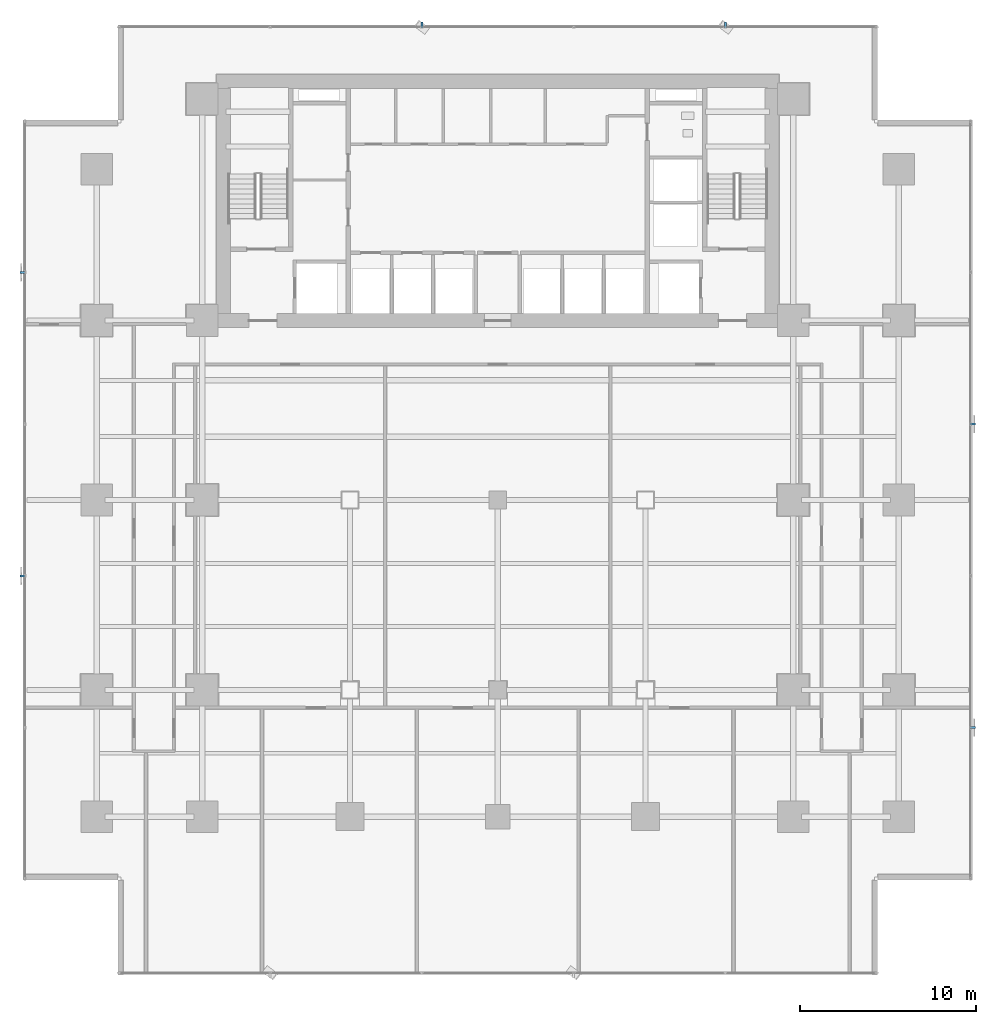
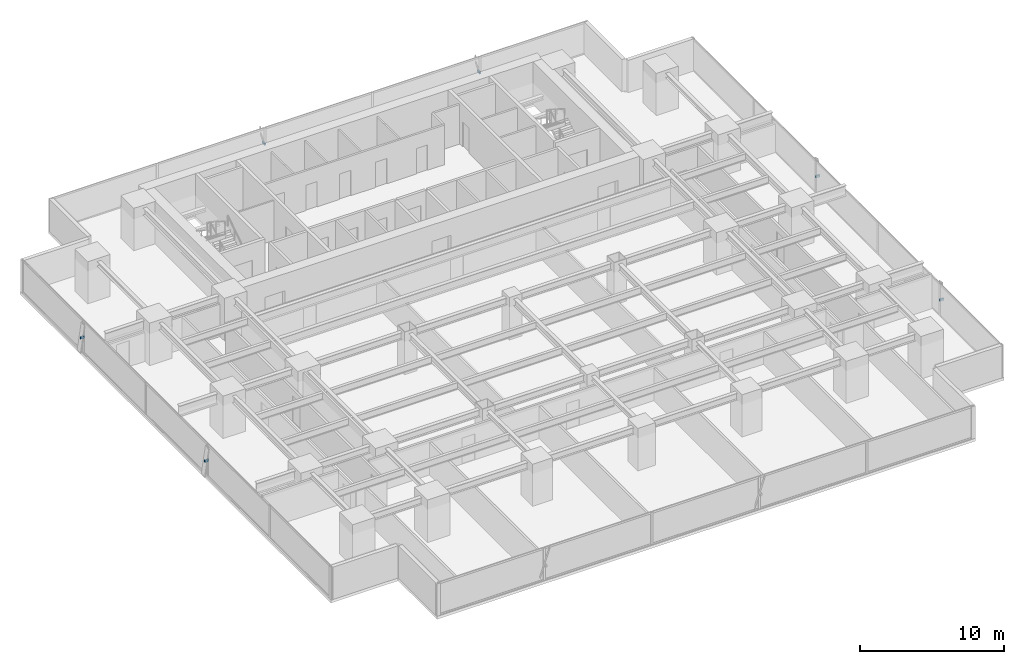
# One storey, part 28 of 33: 6 discrete accessories.
"""IFC4 building model written with IfcOpenShell, lengths in metres."""

from ifc_helpers import new_model, si_unit, direction, frame, origin, origin_2d, place, context, subcontext, project, spatial, rectangle, extrude, source, transform, mapped, material, material_profile, profile_set, type_object, element, save


model = new_model("IFC4")

# Units and contexts
model_context = context("Model", 3, precision=1e-05, world=origin(), true_north=direction((0.0, 1.0)))
body_context = subcontext(model_context, "Body", "Model", "MODEL_VIEW")
ifc_project = project(units=[si_unit("LENGTHUNIT", "METRE"), si_unit("AREAUNIT", "SQUARE_METRE"), si_unit("VOLUMEUNIT", "CUBIC_METRE"), si_unit("PLANEANGLEUNIT", "RADIAN"), si_unit("MASSUNIT", "GRAM", prefix="KILO")], contexts=[model_context])

# Site, building, storey
site_placement = place(None, origin())
site = spatial("IfcSite", under=ifc_project, at=site_placement, CompositionType="ELEMENT")
building_placement = place(site_placement, origin())
building = spatial("IfcBuilding", under=site, at=building_placement, Name="Sumidabori Civic Tower", CompositionType="ELEMENT")
storey_placement = place(building_placement, frame((0.0, 0.0, 59.60009765625)))
storey = spatial("IfcBuildingStorey", under=building, at=storey_placement, Name="L15", CompositionType="ELEMENT", Elevation=59.60009765625)

# Discrete accessories
ifc_material = material(Name="Stainless Steel Hairline Finish", Category="steel")
ifc_material_profile = material_profile(ifc_material, rectangle(XDim=0.1201171875, YDim=0.179931640625, at=origin_2d()), Name="STEEL BRACKET 180x120")
ifc_profile_set = profile_set([ifc_material_profile], Name="Stainless Steel Hairline Finish")
discrete_accessory_type = type_object("IfcDiscreteAccessoryType", Name="AC-BRK-180", PredefinedType="BRACKET", material=ifc_profile_set)
shared_shape = source(origin(), body_context, "Body", "SweptSolid", [
    extrude(rectangle(XDim=0.1201171875, YDim=0.179931640625, at=origin_2d()), origin(), (0.0, 0.0, 1.0), 0.329833984375),
])
for number, where, z_axis, x_axis, name in (
    (1, (26.830078125, -12.94189453125, 1.35986328125), (1.0, 0.0, 0.0), (0.0, 1.0, 0.0), "Bronze Fin Fixing Bracket L15-01"),
    (2, (26.830078125, 4.31396484375, 1.35986328125), (1.0, 0.0, 0.0), (0.0, 1.0, 0.0), "Bronze Fin Fixing Bracket L15-03"),
    (3, (12.94189453125, 26.830078125, 1.35986328125), (0.0, 1.0, 0.0), (-1.0, 0.0, 0.0), "Bronze Fin Fixing Bracket L15-01"),
    (4, (-4.31396484375, 26.830078125, 1.35986328125), (0.0, 1.0, 0.0), (-1.0, 0.0, 0.0), "Bronze Fin Fixing Bracket L15-03"),
    (5, (-26.830078125, 12.94189453125, 1.35986328125), (-1.0, 0.0, 0.0), (0.0, -1.0, 0.0), "Bronze Fin Fixing Bracket L15-01"),
    (6, (-26.830078125, -4.31396484375, 1.35986328125), (-1.0, 0.0, 0.0), (0.0, -1.0, 0.0), "Bronze Fin Fixing Bracket L15-03"),
):
    element("IfcDiscreteAccessory", number, at=place(storey_placement, frame(where, z_axis=z_axis, x_axis=x_axis)), inside=storey, type_object=discrete_accessory_type, Name=name, PredefinedType="BRACKET", context=body_context, shape_type="MappedRepresentation", body=[
        mapped(shared_shape, transform((0.0, 0.0, 0.0), x_axis=(1.0, 0.0, 0.0), y_axis=(0.0, 1.0, 0.0), z_axis=(0.0, 0.0, 1.0), scale=1.0)),
    ])

save(model, "model.ifc")
